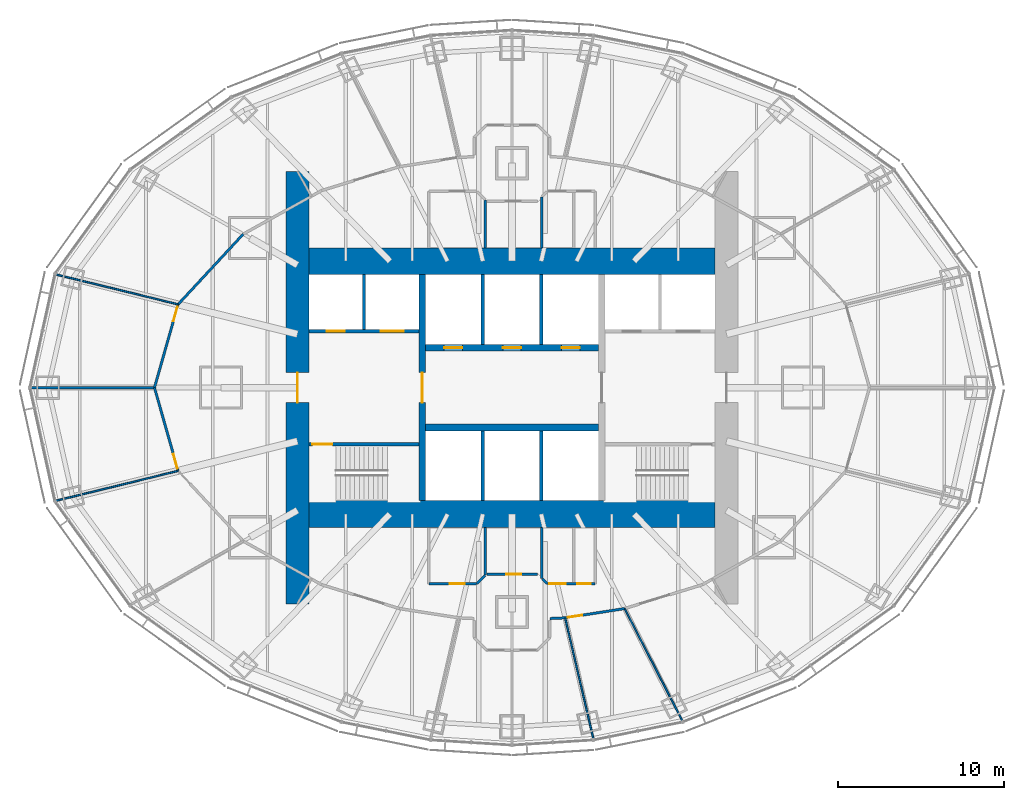
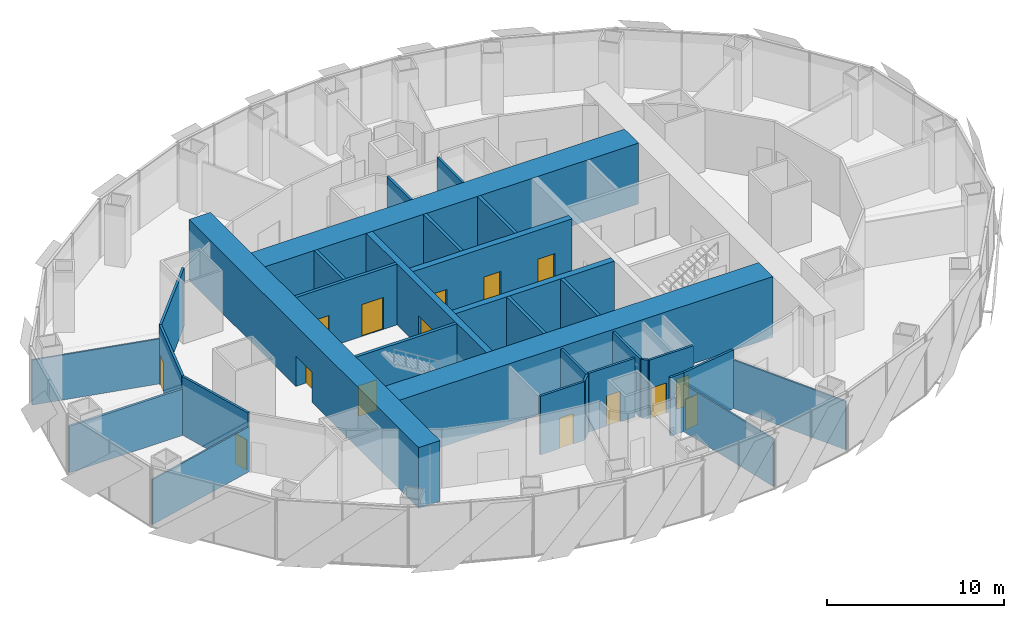
# One storey, part 11 of 17: 32 walls, 15 doors, 15 openings.
"""IFC4 building model written with IfcOpenShell, lengths in metres."""

from ifc_helpers import new_model, si_unit, direction, frame, frame_2d, origin, place, context, subcontext, project, spatial, rectangle, extrude, material, layer, layer_set, type_object, element, fill, save


model = new_model("IFC4")

# Units and contexts
model_context = context("Model", 3, precision=1e-05, world=origin(), true_north=direction((0.0, 1.0)))
body_context = subcontext(model_context, "Body", "Model", "MODEL_VIEW")
ifc_project = project(units=[si_unit("LENGTHUNIT", "METRE"), si_unit("AREAUNIT", "SQUARE_METRE"), si_unit("VOLUMEUNIT", "CUBIC_METRE"), si_unit("PLANEANGLEUNIT", "RADIAN"), si_unit("MASSUNIT", "GRAM", prefix="KILO")], contexts=[model_context])

# Site, building, storey
site_placement = place(None, origin())
site = spatial("IfcSite", under=ifc_project, at=site_placement, CompositionType="ELEMENT")
building_placement = place(site_placement, origin())
building = spatial("IfcBuilding", under=site, at=building_placement, Name="Lantaw Convention Tower", CompositionType="ELEMENT")
storey_placement = place(building_placement, frame((0.0, 0.0, 155.199951171875)))
storey = spatial("IfcBuildingStorey", under=building, at=storey_placement, Name="L36", CompositionType="ELEMENT", Elevation=155.199951171875)

# Wall, opening, door
ifc_material_1 = material(Name="Concrete C60/75", Category="concrete")
ifc_layer_1 = layer(ifc_material_1, 1.39990234375)
ifc_layer_set_1 = layer_set([ifc_layer_1], Name="Core wall 1400")
wall_type_1 = type_object("IfcWallType", Name="Core wall 1400", PredefinedType="SHEAR", material=ifc_layer_set_1)
wall_1_placement = place(storey_placement, frame((-12.89990234375, 13.0, 0.0), z_axis=(0.0, 0.0, 1.0), x_axis=(0.0, -1.0, 0.0)))
wall_1 = element("IfcWall", 1, at=wall_1_placement, inside=storey, type_object=wall_type_1, Name="Core wall W", PredefinedType="SHEAR", context=body_context, shape_type="SweptSolid", body=[
    extrude(rectangle(XDim=26.0, YDim=1.39990234375, at=frame_2d((13.0, 0.0))), origin(), (0.0, 0.0, 1.0), 4.199951171875),
])
opening_1_placement = place(wall_1_placement, frame((12.10009765625, 0.0, 0.0)))
opening_1 = element("IfcOpeningElement", 2, at=opening_1_placement, cuts=wall_1, Name="Opening L36.06", PredefinedType="OPENING", context=body_context, shape_type="SweptSolid", body=[
    extrude(rectangle(XDim=1.800048828125, YDim=2.10009765625, at=frame_2d((0.89990234375, 1.050048828125))), frame((0.0, 0.7099609375, 0.0), z_axis=(0.0, -1.0, 0.0), x_axis=(1.0, 0.0, 0.0)), (0.0, 0.0, 1.0), 1.419921875),
])
ifc_material_2 = material(Name="Steel, fire rated", Category="steel")
door_type_1 = type_object("IfcDoorType", Name="Lobby double door FD90", OperationType="DOUBLE_DOOR_DOUBLE_SWING", PredefinedType="DOOR", material=ifc_material_2)
door_1_placement = place(opening_1_placement, origin())
door_1 = element("IfcDoor", 3, at=door_1_placement, inside=storey, type_object=door_type_1, Name="Firefighting lobby door", OperationType="DOUBLE_DOOR_DOUBLE_SWING", OverallHeight=2.10009765625, OverallWidth=1.800048828125, PredefinedType="DOOR", context=body_context, shape_type="SweptSolid", body=[
    extrude(rectangle(XDim=1.800048828125, YDim=2.10009765625, at=frame_2d((0.89990234375, 1.050048828125))), frame((0.0, 0.02490234375, 0.0), z_axis=(0.0, -1.0, 0.0), x_axis=(1.0, 0.0, 0.0)), (0.0, 0.0, 1.0), 0.050048828125),
])
fill(opening_1, door_1)

# Walls
ifc_layer_2 = layer(ifc_material_1, 1.60009765625)
ifc_layer_set_2 = layer_set([ifc_layer_2], Name="Core wall 1600")
wall_type_2 = type_object("IfcWallType", Name="Core wall 1600", PredefinedType="SHEAR", material=ifc_layer_set_2)
for number, where, z_axis, x_axis, name in (
    (4, (-12.199951171875, -7.60009765625, 0.0), (0.0, 0.0, 1.0), (1.0, 0.0, 0.0), "Core wall S"),
    (5, (12.199951171875, 7.60009765625, 0.0), (0.0, 0.0, 1.0), (-1.0, 0.0, 0.0), "Core wall N"),
):
    element("IfcWall", number, at=place(storey_placement, frame(where, z_axis=z_axis, x_axis=x_axis)), inside=storey, type_object=wall_type_2, Name=name, PredefinedType="SHEAR", context=body_context, shape_type="SweptSolid", body=[
        extrude(rectangle(XDim=24.39990234375, YDim=1.60009765625, at=frame_2d((12.199951171875, 0.0))), origin(), (0.0, 0.0, 1.0), 4.199951171875),
    ])

# Wall, opening, door
ifc_layer_3 = layer(ifc_material_1, 0.199951171875)
ifc_layer_set_3 = layer_set([ifc_layer_3], Name="Core wall 200")
wall_type_3 = type_object("IfcWallType", Name="Core wall 200", PredefinedType="SHEAR", material=ifc_layer_set_3)
wall_2_placement = place(storey_placement, frame((-5.60009765625, -3.39990234375, 0.0), z_axis=(0.0, 0.0, 1.0), x_axis=(-1.0, 0.0, 0.0)))
wall_2 = element("IfcWall", 6, at=wall_2_placement, inside=storey, type_object=wall_type_3, Name="Core wall WS", PredefinedType="SHEAR", context=body_context, shape_type="SweptSolid", body=[
    extrude(rectangle(XDim=6.599853515625, YDim=0.199951171875, at=frame_2d((3.2998046875, 0.0))), origin(), (0.0, 0.0, 1.0), 4.199951171875),
])
opening_2_placement = place(wall_2_placement, frame((5.199951171875, 0.0, 0.0)))
opening_2 = element("IfcOpeningElement", 7, at=opening_2_placement, cuts=wall_2, Name="Opening L36.04", PredefinedType="OPENING", context=body_context, shape_type="SweptSolid", body=[
    extrude(rectangle(XDim=1.199951171875, YDim=2.10009765625, at=frame_2d((0.60009765625, 1.050048828125))), frame((0.0, 0.10986328125, 0.0), z_axis=(0.0, -1.0, 0.0), x_axis=(1.0, 0.0, 0.0)), (0.0, 0.0, 1.0), 0.219970703125),
])
door_type_2 = type_object("IfcDoorType", Name="Stair door FD90", OperationType="SINGLE_SWING_RIGHT", PredefinedType="DOOR", material=ifc_material_2)
door_2_placement = place(opening_2_placement, origin())
door_2 = element("IfcDoor", 8, at=door_2_placement, inside=storey, type_object=door_type_2, Name="Exit stair door", OperationType="SINGLE_SWING_RIGHT", OverallHeight=2.10009765625, OverallWidth=1.199951171875, PredefinedType="DOOR", context=body_context, shape_type="SweptSolid", body=[
    extrude(rectangle(XDim=1.199951171875, YDim=2.10009765625, at=frame_2d((0.60009765625, 1.050048828125))), frame((0.0, 0.02490234375, 0.0), z_axis=(0.0, -1.0, 0.0), x_axis=(1.0, 0.0, 0.0)), (0.0, 0.0, 1.0), 0.050048828125),
])
fill(opening_2, door_2)

ifc_layer_4 = layer(ifc_material_1, 0.39990234375)
ifc_layer_set_4 = layer_set([ifc_layer_4], Name="Core wall 400")
wall_type_4 = type_object("IfcWallType", Name="Core wall 400", PredefinedType="SHEAR", material=ifc_layer_set_4)
wall_3_placement = place(storey_placement, frame((-5.39990234375, 6.800048828125, 0.0), z_axis=(0.0, 0.0, 1.0), x_axis=(0.0, -1.0, 0.0)))
wall_3 = element("IfcWall", 9, at=wall_3_placement, inside=storey, type_object=wall_type_4, Name="Core wall XW", PredefinedType="SHEAR", context=body_context, shape_type="SweptSolid", body=[
    extrude(rectangle(XDim=13.60009765625, YDim=0.39990234375, at=frame_2d((6.800048828125, 0.0))), origin(), (0.0, 0.0, 1.0), 4.199951171875),
])
opening_3_placement = place(wall_3_placement, frame((5.89990234375, 0.0, 0.0)))
opening_3 = element("IfcOpeningElement", 10, at=opening_3_placement, cuts=wall_3, Name="Opening L36.02", PredefinedType="OPENING", context=body_context, shape_type="SweptSolid", body=[
    extrude(rectangle(XDim=1.800048828125, YDim=2.10009765625, at=frame_2d((0.89990234375, 1.050048828125))), frame((0.0, 0.2099609375, 0.0), z_axis=(0.0, -1.0, 0.0), x_axis=(1.0, 0.0, 0.0)), (0.0, 0.0, 1.0), 0.419921875),
])
door_3_placement = place(opening_3_placement, origin())
door_3 = element("IfcDoor", 11, at=door_3_placement, inside=storey, type_object=door_type_1, Name="Lift lobby door", OperationType="DOUBLE_DOOR_DOUBLE_SWING", OverallHeight=2.10009765625, OverallWidth=1.800048828125, PredefinedType="DOOR", context=body_context, shape_type="SweptSolid", body=[
    extrude(rectangle(XDim=1.800048828125, YDim=2.10009765625, at=frame_2d((0.89990234375, 1.050048828125))), frame((0.0, 0.02490234375, 0.0), z_axis=(0.0, -1.0, 0.0), x_axis=(1.0, 0.0, 0.0)), (0.0, 0.0, 1.0), 0.050048828125),
])
fill(opening_3, door_3)

# Wall
wall_4_placement = place(storey_placement, frame((-5.199951171875, -2.39990234375, 0.0), z_axis=(0.0, 0.0, 1.0), x_axis=(1.0, 0.0, 0.0)))
element("IfcWall", 12, at=wall_4_placement, inside=storey, type_object=wall_type_4, Name="Core wall BS", PredefinedType="SHEAR", context=body_context, shape_type="SweptSolid", body=[
    extrude(rectangle(XDim=10.39990234375, YDim=0.39990234375, at=frame_2d((5.199951171875, 0.0))), origin(), (0.0, 0.0, 1.0), 4.199951171875),
])

# Wall, openings, doors
wall_5_placement = place(storey_placement, frame((5.199951171875, 2.39990234375, 0.0), z_axis=(0.0, 0.0, 1.0), x_axis=(-1.0, 0.0, 0.0)))
wall_5 = element("IfcWall", 13, at=wall_5_placement, inside=storey, type_object=wall_type_4, Name="Core wall BN", PredefinedType="SHEAR", context=body_context, shape_type="SweptSolid", body=[
    extrude(rectangle(XDim=10.39990234375, YDim=0.39990234375, at=frame_2d((5.199951171875, 0.0))), origin(), (0.0, 0.0, 1.0), 4.199951171875),
])
opening_4_placement = place(wall_5_placement, frame((8.183349609375, 0.0, 0.0)))
opening_4 = element("IfcOpeningElement", 14, at=opening_4_placement, cuts=wall_5, Name="Opening L36.07", PredefinedType="OPENING", context=body_context, shape_type="SweptSolid", body=[
    extrude(rectangle(XDim=1.10009765625, YDim=2.199951171875, at=frame_2d((0.550048828125, 1.10009765625))), frame((0.0, 0.2099609375, 0.0), z_axis=(0.0, -1.0, 0.0), x_axis=(1.0, 0.0, 0.0)), (0.0, 0.0, 1.0), 0.419921875),
])
opening_5_placement = place(wall_5_placement, frame((4.64990234375, 0.0, 0.0)))
opening_5 = element("IfcOpeningElement", 15, at=opening_5_placement, cuts=wall_5, Name="Opening L36.08", PredefinedType="OPENING", context=body_context, shape_type="SweptSolid", body=[
    extrude(rectangle(XDim=1.10009765625, YDim=2.199951171875, at=frame_2d((0.550048828125, 1.10009765625))), frame((0.0, 0.2099609375, 0.0), z_axis=(0.0, -1.0, 0.0), x_axis=(1.0, 0.0, 0.0)), (0.0, 0.0, 1.0), 0.419921875),
])
opening_6_placement = place(wall_5_placement, frame((1.11669921875, 0.0, 0.0)))
opening_6 = element("IfcOpeningElement", 16, at=opening_6_placement, cuts=wall_5, Name="Opening L36.09", PredefinedType="OPENING", context=body_context, shape_type="SweptSolid", body=[
    extrude(rectangle(XDim=1.10009765625, YDim=2.199951171875, at=frame_2d((0.550048828125, 1.10009765625))), frame((0.0, 0.2099609375, 0.0), z_axis=(0.0, -1.0, 0.0), x_axis=(1.0, 0.0, 0.0)), (0.0, 0.0, 1.0), 0.419921875),
])
ifc_material_3 = material(Name="Stainless steel", Category="steel")
door_type_3 = type_object("IfcDoorType", Name="Lift landing door 1100", OperationType="DOUBLE_DOOR_SLIDING", PredefinedType="DOOR", material=ifc_material_3)
door_4_placement = place(opening_4_placement, origin())
door_4 = element("IfcDoor", 17, at=door_4_placement, inside=storey, type_object=door_type_3, Name="Lift landing door N1", OperationType="DOUBLE_DOOR_SLIDING", OverallHeight=2.199951171875, OverallWidth=1.10009765625, PredefinedType="DOOR", context=body_context, shape_type="SweptSolid", body=[
    extrude(rectangle(XDim=1.10009765625, YDim=2.199951171875, at=frame_2d((0.550048828125, 1.10009765625))), frame((0.0, 0.02490234375, 0.0), z_axis=(0.0, -1.0, 0.0), x_axis=(1.0, 0.0, 0.0)), (0.0, 0.0, 1.0), 0.050048828125),
])
fill(opening_4, door_4)
door_5_placement = place(opening_5_placement, origin())
door_5 = element("IfcDoor", 18, at=door_5_placement, inside=storey, type_object=door_type_3, Name="Lift landing door N2", OperationType="DOUBLE_DOOR_SLIDING", OverallHeight=2.199951171875, OverallWidth=1.10009765625, PredefinedType="DOOR", context=body_context, shape_type="SweptSolid", body=[
    extrude(rectangle(XDim=1.10009765625, YDim=2.199951171875, at=frame_2d((0.550048828125, 1.10009765625))), frame((0.0, 0.02490234375, 0.0), z_axis=(0.0, -1.0, 0.0), x_axis=(1.0, 0.0, 0.0)), (0.0, 0.0, 1.0), 0.050048828125),
])
fill(opening_5, door_5)
door_6_placement = place(opening_6_placement, origin())
door_6 = element("IfcDoor", 19, at=door_6_placement, inside=storey, type_object=door_type_3, Name="Lift landing door N3", OperationType="DOUBLE_DOOR_SLIDING", OverallHeight=2.199951171875, OverallWidth=1.10009765625, PredefinedType="DOOR", context=body_context, shape_type="SweptSolid", body=[
    extrude(rectangle(XDim=1.10009765625, YDim=2.199951171875, at=frame_2d((0.550048828125, 1.10009765625))), frame((0.0, 0.02490234375, 0.0), z_axis=(0.0, -1.0, 0.0), x_axis=(1.0, 0.0, 0.0)), (0.0, 0.0, 1.0), 0.050048828125),
])
fill(opening_6, door_6)

# Wall
ifc_material_4 = material(Name="Gypsum board on steel studs, fire rated", Category="steel")
ifc_layer_5 = layer(ifc_material_4, 0.14990234375)
ifc_layer_set_5 = layer_set([ifc_layer_5], Name="Corridor wall 150 EI 60")
wall_type_5 = type_object("IfcWallType", Name="Corridor wall 150 EI 60", PredefinedType="PARTITIONING", material=ifc_layer_set_5)
wall_6_placement = place(storey_placement, frame((-16.159912109375, 9.234375, 0.0), z_axis=(0.0, 0.0, 1.0), x_axis=(-0.679724658223, -0.733467374191, 0.0)))
element("IfcWall", 20, at=wall_6_placement, inside=storey, type_object=wall_type_5, Name="Corridor wall 150", PredefinedType="PARTITIONING", context=body_context, shape_type="SweptSolid", body=[
    extrude(rectangle(XDim=5.764892578125, YDim=0.14990234375, at=frame_2d((2.88232421875, 0.0))), origin(), (0.0, 0.0, 1.0), 4.050048828125),
])

# Wall, opening, door
wall_7_placement = place(storey_placement, frame((-20.078369140625, 5.006103515625, 0.0), z_axis=(0.0, 0.0, 1.0), x_axis=(-0.273177936169, -0.961963520717, 0.0)))
wall_7 = element("IfcWall", 21, at=wall_7_placement, inside=storey, type_object=wall_type_5, Name="Corridor wall 150", PredefinedType="PARTITIONING", context=body_context, shape_type="SweptSolid", body=[
    extrude(rectangle(XDim=5.2041015625, YDim=0.14990234375, at=frame_2d((2.60205078125, 0.0))), origin(), (0.0, 0.0, 1.0), 4.050048828125),
])
opening_7_placement = place(wall_7_placement, frame((0.14990234375, 0.0, 0.0)))
opening_7 = element("IfcOpeningElement", 22, at=opening_7_placement, cuts=wall_7, Name="Opening L36.29", PredefinedType="OPENING", context=body_context, shape_type="SweptSolid", body=[
    extrude(rectangle(XDim=0.89990234375, YDim=2.10009765625, at=frame_2d((0.449951171875, 1.050048828125))), frame((0.0, 0.0849609375, 0.0), z_axis=(0.0, -1.0, 0.0), x_axis=(1.0, 0.0, 0.0)), (0.0, 0.0, 1.0), 0.169921875),
])
door_type_4 = type_object("IfcDoorType", Name="Office door 900 FD30", OperationType="SINGLE_SWING_LEFT", PredefinedType="DOOR", material=ifc_material_2)
door_7_placement = place(opening_7_placement, origin())
door_7 = element("IfcDoor", 23, at=door_7_placement, inside=storey, type_object=door_type_4, Name="Pantry door", OperationType="SINGLE_SWING_LEFT", OverallHeight=2.10009765625, OverallWidth=0.89990234375, PredefinedType="DOOR", context=body_context, shape_type="SweptSolid", body=[
    extrude(rectangle(XDim=0.89990234375, YDim=2.10009765625, at=frame_2d((0.449951171875, 1.050048828125))), frame((0.0, 0.02490234375, 0.0), z_axis=(0.0, -1.0, 0.0), x_axis=(1.0, 0.0, 0.0)), (0.0, 0.0, 1.0), 0.050048828125),
])
fill(opening_7, door_7)

wall_8_placement = place(storey_placement, frame((-21.5, 0.0, 0.0), z_axis=(0.0, 0.0, 1.0), x_axis=(0.273177936169, -0.961963520717, 0.0)))
wall_8 = element("IfcWall", 24, at=wall_8_placement, inside=storey, type_object=wall_type_5, Name="Corridor wall 150", PredefinedType="PARTITIONING", context=body_context, shape_type="SweptSolid", body=[
    extrude(rectangle(XDim=5.2041015625, YDim=0.14990234375, at=frame_2d((2.60205078125, 0.0))), origin(), (0.0, 0.0, 1.0), 4.050048828125),
])
opening_8_placement = place(wall_8_placement, frame((4.154052734375, 0.0, 0.0)))
opening_8 = element("IfcOpeningElement", 25, at=opening_8_placement, cuts=wall_8, Name="Opening L36.30", PredefinedType="OPENING", context=body_context, shape_type="SweptSolid", body=[
    extrude(rectangle(XDim=0.89990234375, YDim=2.10009765625, at=frame_2d((0.449951171875, 1.050048828125))), frame((0.0, 0.0849609375, 0.0), z_axis=(0.0, -1.0, 0.0), x_axis=(1.0, 0.0, 0.0)), (0.0, 0.0, 1.0), 0.169921875),
])
door_8_placement = place(opening_8_placement, origin())
door_8 = element("IfcDoor", 26, at=door_8_placement, inside=storey, type_object=door_type_4, Name="Meeting room door", OperationType="SINGLE_SWING_LEFT", OverallHeight=2.10009765625, OverallWidth=0.89990234375, PredefinedType="DOOR", context=body_context, shape_type="SweptSolid", body=[
    extrude(rectangle(XDim=0.89990234375, YDim=2.10009765625, at=frame_2d((0.449951171875, 1.050048828125))), frame((0.0, 0.02490234375, 0.0), z_axis=(0.0, -1.0, 0.0), x_axis=(1.0, 0.0, 0.0)), (0.0, 0.0, 1.0), 0.050048828125),
])
fill(opening_8, door_8)

wall_9_placement = place(storey_placement, frame((3.1962890625, -13.844482421875, 0.0), z_axis=(0.0, 0.0, 1.0), x_axis=(0.98808911792, 0.153882731479, 0.0)))
wall_9 = element("IfcWall", 27, at=wall_9_placement, inside=storey, type_object=wall_type_5, Name="Corridor wall 150", PredefinedType="PARTITIONING", context=body_context, shape_type="SweptSolid", body=[
    extrude(rectangle(XDim=3.6171875, YDim=0.14990234375, at=frame_2d((1.80859375, 0.0))), origin(), (0.0, 0.0, 1.0), 4.050048828125),
])
opening_9_placement = place(wall_9_placement, frame((0.14990234375, 0.0, 0.0)))
opening_9 = element("IfcOpeningElement", 28, at=opening_9_placement, cuts=wall_9, Name="Opening L36.35", PredefinedType="OPENING", context=body_context, shape_type="SweptSolid", body=[
    extrude(rectangle(XDim=0.89990234375, YDim=2.10009765625, at=frame_2d((0.449951171875, 1.050048828125))), frame((0.0, 0.0849609375, 0.0), z_axis=(0.0, -1.0, 0.0), x_axis=(1.0, 0.0, 0.0)), (0.0, 0.0, 1.0), 0.169921875),
])
door_9_placement = place(opening_9_placement, origin())
door_9 = element("IfcDoor", 29, at=door_9_placement, inside=storey, type_object=door_type_4, Name="Private office door", OperationType="SINGLE_SWING_LEFT", OverallHeight=2.10009765625, OverallWidth=0.89990234375, PredefinedType="DOOR", context=body_context, shape_type="SweptSolid", body=[
    extrude(rectangle(XDim=0.89990234375, YDim=2.10009765625, at=frame_2d((0.449951171875, 1.050048828125))), frame((0.0, 0.02490234375, 0.0), z_axis=(0.0, -1.0, 0.0), x_axis=(1.0, 0.0, 0.0)), (0.0, 0.0, 1.0), 0.050048828125),
])
fill(opening_9, door_9)

# Walls
wall_10_placement = place(storey_placement, frame((2.294921875, -13.88818359375, 0.0), z_axis=(0.0, 0.0, 1.0), x_axis=(0.998826757305, 0.048426324366, 0.0)))
element("IfcWall", 30, at=wall_10_placement, inside=storey, type_object=wall_type_5, Name="Corridor wall 150", PredefinedType="PARTITIONING", context=body_context, shape_type="SweptSolid", body=[
    extrude(rectangle(XDim=0.90234375, YDim=0.14990234375, at=frame_2d((0.451171875, 0.0))), origin(), (0.0, 0.0, 1.0), 4.050048828125),
])
ifc_material_5 = material(Name="Gypsum board on steel studs, acoustic", Category="steel")
ifc_layer_6 = layer(ifc_material_5, 0.10009765625)
ifc_layer_set_6 = layer_set([ifc_layer_6], Name="Office partition 100")
wall_type_6 = type_object("IfcWallType", Name="Office partition 100", PredefinedType="PARTITIONING", material=ifc_layer_set_6)
for number, where, z_axis, x_axis, name in (
    (31, (-27.440673828125, 6.808837890625, 0.0), (0.0, 0.0, 1.0), (0.971305815804, -0.237834001323, 0.0), "Office partition 100"),
    (32, (-27.440673828125, -6.808837890625, 0.0), (0.0, 0.0, 1.0), (0.971305815804, 0.237834001323, 0.0), "Office partition 100"),
):
    element("IfcWall", number, at=place(storey_placement, frame(where, z_axis=z_axis, x_axis=x_axis)), inside=storey, type_object=wall_type_6, Name=name, PredefinedType="PARTITIONING", context=body_context, shape_type="SweptSolid", body=[
        extrude(rectangle(XDim=7.579833984375, YDim=0.10009765625, at=frame_2d((3.7900390625, 0.0))), origin(), (0.0, 0.0, 1.0), 3.11279296875),
    ])
wall_11_placement = place(storey_placement, frame((4.89697265625, -21.134765625, 0.0), z_axis=(0.0, 0.0, 1.0), x_axis=(-0.227181159974, 0.973852514785, 0.0)))
element("IfcWall", 33, at=wall_11_placement, inside=storey, type_object=wall_type_6, Name="Office partition 100", PredefinedType="PARTITIONING", context=body_context, shape_type="SweptSolid", body=[
    extrude(rectangle(XDim=7.486083984375, YDim=0.10009765625, at=frame_2d((3.7431640625, 0.0))), origin(), (0.0, 0.0, 1.0), 3.293212890625),
])
wall_12_placement = place(storey_placement, frame((10.25341796875, -20.0517578125, 0.0), z_axis=(0.0, 0.0, 1.0), x_axis=(-0.457797505753, 0.88905649074, 0.0)))
element("IfcWall", 34, at=wall_12_placement, inside=storey, type_object=wall_type_6, Name="Office partition 100", PredefinedType="PARTITIONING", context=body_context, shape_type="SweptSolid", body=[
    extrude(rectangle(XDim=7.60791015625, YDim=0.10009765625, at=frame_2d((3.803955078125, 0.0))), origin(), (0.0, 0.0, 1.0), 3.34912109375),
])
ifc_material_6 = material(Name="Concrete blockwork, fire rated", Category="masonry")
ifc_layer_7 = layer(ifc_material_6, 0.199951171875)
ifc_layer_set_7 = layer_set([ifc_layer_7], Name="Shaft wall 200")
wall_type_7 = type_object("IfcWallType", Name="Shaft wall 200", PredefinedType="SOLIDWALL", material=ifc_layer_set_7)
for number, where, z_axis, x_axis, name in (
    (35, (-1.7666015625, 2.60009765625, 0.0), (0.0, 0.0, 1.0), (0.0, 1.0, 0.0), "Shaft wall DN1"),
    (36, (1.7666015625, 2.60009765625, 0.0), (0.0, 0.0, 1.0), (0.0, 1.0, 0.0), "Shaft wall DN2"),
):
    element("IfcWall", number, at=place(storey_placement, frame(where, z_axis=z_axis, x_axis=x_axis)), inside=storey, type_object=wall_type_7, Name=name, PredefinedType="SOLIDWALL", context=body_context, shape_type="SweptSolid", body=[
        extrude(rectangle(XDim=4.199951171875, YDim=0.199951171875, at=frame_2d((2.10009765625, 0.0))), origin(), (0.0, 0.0, 1.0), 4.199951171875),
    ])

# Wall, openings, doors
wall_13_placement = place(storey_placement, frame((-12.199951171875, 3.39990234375, 0.0), z_axis=(0.0, 0.0, 1.0), x_axis=(1.0, 0.0, 0.0)))
wall_13 = element("IfcWall", 37, at=wall_13_placement, inside=storey, type_object=wall_type_7, Name="Shaft wall WN", PredefinedType="SOLIDWALL", context=body_context, shape_type="SweptSolid", body=[
    extrude(rectangle(XDim=6.599853515625, YDim=0.199951171875, at=frame_2d((3.2998046875, 0.0))), origin(), (0.0, 0.0, 1.0), 4.199951171875),
])
opening_10_placement = place(wall_13_placement, frame((1.050048828125, 0.0, 0.0)))
opening_10 = element("IfcOpeningElement", 38, at=opening_10_placement, cuts=wall_13, Name="Opening L36.10", PredefinedType="OPENING", context=body_context, shape_type="SweptSolid", body=[
    extrude(rectangle(XDim=1.10009765625, YDim=2.199951171875, at=frame_2d((0.550048828125, 1.10009765625))), frame((0.0, 0.10986328125, 0.0), z_axis=(0.0, -1.0, 0.0), x_axis=(1.0, 0.0, 0.0)), (0.0, 0.0, 1.0), 0.219970703125),
])
opening_11_placement = place(wall_13_placement, frame((4.300048828125, 0.0, 0.0)))
opening_11 = element("IfcOpeningElement", 39, at=opening_11_placement, cuts=wall_13, Name="Opening L36.11", PredefinedType="OPENING", context=body_context, shape_type="SweptSolid", body=[
    extrude(rectangle(XDim=1.39990234375, YDim=2.199951171875, at=frame_2d((0.699951171875, 1.10009765625))), frame((0.0, 0.10986328125, 0.0), z_axis=(0.0, -1.0, 0.0), x_axis=(1.0, 0.0, 0.0)), (0.0, 0.0, 1.0), 0.219970703125),
])
door_10_placement = place(opening_10_placement, origin())
door_10 = element("IfcDoor", 40, at=door_10_placement, inside=storey, type_object=door_type_3, Name="Lift landing door FF1", OperationType="DOUBLE_DOOR_SLIDING", OverallHeight=2.199951171875, OverallWidth=1.10009765625, PredefinedType="DOOR", context=body_context, shape_type="SweptSolid", body=[
    extrude(rectangle(XDim=1.10009765625, YDim=2.199951171875, at=frame_2d((0.550048828125, 1.10009765625))), frame((0.0, 0.02490234375, 0.0), z_axis=(0.0, -1.0, 0.0), x_axis=(1.0, 0.0, 0.0)), (0.0, 0.0, 1.0), 0.050048828125),
])
fill(opening_10, door_10)
door_type_5 = type_object("IfcDoorType", Name="Lift landing door 1400", OperationType="DOUBLE_DOOR_SLIDING", PredefinedType="DOOR", material=ifc_material_3)
door_11_placement = place(opening_11_placement, origin())
door_11 = element("IfcDoor", 41, at=door_11_placement, inside=storey, type_object=door_type_5, Name="Lift landing door SV1", OperationType="DOUBLE_DOOR_SLIDING", OverallHeight=2.199951171875, OverallWidth=1.39990234375, PredefinedType="DOOR", context=body_context, shape_type="SweptSolid", body=[
    extrude(rectangle(XDim=1.39990234375, YDim=2.199951171875, at=frame_2d((0.699951171875, 1.10009765625))), frame((0.0, 0.02490234375, 0.0), z_axis=(0.0, -1.0, 0.0), x_axis=(1.0, 0.0, 0.0)), (0.0, 0.0, 1.0), 0.050048828125),
])
fill(opening_11, door_11)

# Walls
wall_14_placement = place(storey_placement, frame((-8.89990234375, 3.5, 0.0), z_axis=(0.0, 0.0, 1.0), x_axis=(0.0, 1.0, 0.0)))
element("IfcWall", 42, at=wall_14_placement, inside=storey, type_object=wall_type_7, Name="Shaft wall WD", PredefinedType="SOLIDWALL", context=body_context, shape_type="SweptSolid", body=[
    extrude(rectangle(XDim=3.300048828125, YDim=0.199951171875, at=frame_2d((1.64990234375, 0.0))), origin(), (0.0, 0.0, 1.0), 4.199951171875),
])
ifc_layer_8 = layer(ifc_material_6, 0.199951171875)
ifc_layer_set_8 = layer_set([ifc_layer_8], Name="Shaft wall 200 load-bearing")
wall_type_8 = type_object("IfcWallType", Name="Shaft wall 200 load-bearing", PredefinedType="SOLIDWALL", material=ifc_layer_set_8)
for number, where, z_axis, x_axis, name in (
    (43, (-1.7666015625, -2.60009765625, 0.0), (0.0, 0.0, 1.0), (0.0, -1.0, 0.0), "Shaft wall DS1"),
    (44, (1.7666015625, -2.60009765625, 0.0), (0.0, 0.0, 1.0), (0.0, -1.0, 0.0), "Shaft wall DS2"),
):
    element("IfcWall", number, at=place(storey_placement, frame(where, z_axis=z_axis, x_axis=x_axis)), inside=storey, type_object=wall_type_8, Name=name, PredefinedType="SOLIDWALL", context=body_context, shape_type="SweptSolid", body=[
        extrude(rectangle(XDim=4.199951171875, YDim=0.199951171875, at=frame_2d((2.10009765625, 0.0))), origin(), (0.0, 0.0, 1.0), 4.199951171875),
    ])
ifc_layer_9 = layer(ifc_material_4, 0.14990234375)
ifc_layer_set_9 = layer_set([ifc_layer_9], Name="Tenant separation wall 150 EI 60")
wall_type_9 = type_object("IfcWallType", Name="Tenant separation wall 150 EI 60", PredefinedType="PARTITIONING", material=ifc_layer_set_9)
wall_15_placement = place(storey_placement, frame((-28.944091796875, 0.0, 0.0), z_axis=(0.0, 0.0, 1.0), x_axis=(1.0, 0.0, 0.0)))
element("IfcWall", 45, at=wall_15_placement, inside=storey, type_object=wall_type_9, Name="Tenant separation wall 150", PredefinedType="PARTITIONING", context=body_context, shape_type="SweptSolid", body=[
    extrude(rectangle(XDim=7.444091796875, YDim=0.14990234375, at=frame_2d((3.72216796875, 0.0))), origin(), (0.0, 0.0, 1.0), 3.204345703125),
])

# Wall, opening, door
ifc_material_7 = material(Name="Concrete blockwork", Category="masonry")
ifc_layer_10 = layer(ifc_material_7, 0.14990234375)
ifc_layer_set_10 = layer_set([ifc_layer_10], Name="WC wall 150")
wall_type_10 = type_object("IfcWallType", Name="WC wall 150", PredefinedType="SOLIDWALL", material=ifc_layer_set_10)
wall_16_placement = place(storey_placement, frame((-5.0, -11.800048828125, 0.0), z_axis=(0.0, 0.0, 1.0), x_axis=(1.0, 0.0, 0.0)))
wall_16 = element("IfcWall", 46, at=wall_16_placement, inside=storey, type_object=wall_type_10, Name="WC wall 150", PredefinedType="SOLIDWALL", context=body_context, shape_type="SweptSolid", body=[
    extrude(rectangle(XDim=2.86865234375, YDim=0.14990234375, at=frame_2d((1.434326171875, 0.0))), origin(), (0.0, 0.0, 1.0), 4.050048828125),
])
opening_12_placement = place(wall_16_placement, frame((1.25, 0.0, 0.0)))
opening_12 = element("IfcOpeningElement", 47, at=opening_12_placement, cuts=wall_16, Name="Opening L36.18", PredefinedType="OPENING", context=body_context, shape_type="SweptSolid", body=[
    extrude(rectangle(XDim=0.89990234375, YDim=2.10009765625, at=frame_2d((0.449951171875, 1.050048828125))), frame((0.0, 0.0849609375, 0.0), z_axis=(0.0, -1.0, 0.0), x_axis=(1.0, 0.0, 0.0)), (0.0, 0.0, 1.0), 0.169921875),
])
ifc_material_8 = material(Name="Timber", Category="wood")
door_type_6 = type_object("IfcDoorType", Name="WC door 900", OperationType="SINGLE_SWING_LEFT", PredefinedType="DOOR", material=ifc_material_8)
door_12_placement = place(opening_12_placement, origin())
door_12 = element("IfcDoor", 48, at=door_12_placement, inside=storey, type_object=door_type_6, Name="Male WC door", OperationType="SINGLE_SWING_LEFT", OverallHeight=2.10009765625, OverallWidth=0.89990234375, PredefinedType="DOOR", context=body_context, shape_type="SweptSolid", body=[
    extrude(rectangle(XDim=0.89990234375, YDim=2.10009765625, at=frame_2d((0.449951171875, 1.050048828125))), frame((0.0, 0.02490234375, 0.0), z_axis=(0.0, -1.0, 0.0), x_axis=(1.0, 0.0, 0.0)), (0.0, 0.0, 1.0), 0.050048828125),
])
fill(opening_12, door_12)

# Wall, openings, doors
wall_17_placement = place(storey_placement, frame((2.13134765625, -11.800048828125, 0.0), z_axis=(0.0, 0.0, 1.0), x_axis=(1.0, 0.0, 0.0)))
wall_17 = element("IfcWall", 49, at=wall_17_placement, inside=storey, type_object=wall_type_10, Name="WC wall 150", PredefinedType="SOLIDWALL", context=body_context, shape_type="SweptSolid", body=[
    extrude(rectangle(XDim=2.86865234375, YDim=0.14990234375, at=frame_2d((1.434326171875, 0.0))), origin(), (0.0, 0.0, 1.0), 4.050048828125),
])
opening_13_placement = place(wall_17_placement, frame((0.10009765625, 0.0, 0.0)))
opening_13 = element("IfcOpeningElement", 50, at=opening_13_placement, cuts=wall_17, Name="Opening L36.20", PredefinedType="OPENING", context=body_context, shape_type="SweptSolid", body=[
    extrude(rectangle(XDim=1.0, YDim=2.10009765625, at=frame_2d((0.5, 1.050048828125))), frame((0.0, 0.0849609375, 0.0), z_axis=(0.0, -1.0, 0.0), x_axis=(1.0, 0.0, 0.0)), (0.0, 0.0, 1.0), 0.169921875),
])
opening_14_placement = place(wall_17_placement, frame((1.800048828125, 0.0, 0.0)))
opening_14 = element("IfcOpeningElement", 51, at=opening_14_placement, cuts=wall_17, Name="Opening L36.21", PredefinedType="OPENING", context=body_context, shape_type="SweptSolid", body=[
    extrude(rectangle(XDim=0.800048828125, YDim=2.10009765625, at=frame_2d((0.39990234375, 1.050048828125))), frame((0.0, 0.0849609375, 0.0), z_axis=(0.0, -1.0, 0.0), x_axis=(1.0, 0.0, 0.0)), (0.0, 0.0, 1.0), 0.169921875),
])
door_type_7 = type_object("IfcDoorType", Name="Accessible WC door 1000", OperationType="SINGLE_SWING_LEFT", PredefinedType="DOOR", material=ifc_material_8)
door_13_placement = place(opening_13_placement, origin())
door_13 = element("IfcDoor", 52, at=door_13_placement, inside=storey, type_object=door_type_7, Name="Accessible WC door", OperationType="SINGLE_SWING_LEFT", OverallHeight=2.10009765625, OverallWidth=1.0, PredefinedType="DOOR", context=body_context, shape_type="SweptSolid", body=[
    extrude(rectangle(XDim=1.0, YDim=2.10009765625, at=frame_2d((0.5, 1.050048828125))), frame((0.0, 0.02490234375, 0.0), z_axis=(0.0, -1.0, 0.0), x_axis=(1.0, 0.0, 0.0)), (0.0, 0.0, 1.0), 0.050048828125),
])
fill(opening_13, door_13)
door_type_8 = type_object("IfcDoorType", Name="WC door 800", OperationType="SINGLE_SWING_LEFT", PredefinedType="DOOR", material=ifc_material_8)
door_14_placement = place(opening_14_placement, origin())
door_14 = element("IfcDoor", 53, at=door_14_placement, inside=storey, type_object=door_type_8, Name="Pantry door", OperationType="SINGLE_SWING_LEFT", OverallHeight=2.10009765625, OverallWidth=0.800048828125, PredefinedType="DOOR", context=body_context, shape_type="SweptSolid", body=[
    extrude(rectangle(XDim=0.800048828125, YDim=2.10009765625, at=frame_2d((0.39990234375, 1.050048828125))), frame((0.0, 0.02490234375, 0.0), z_axis=(0.0, -1.0, 0.0), x_axis=(1.0, 0.0, 0.0)), (0.0, 0.0, 1.0), 0.050048828125),
])
fill(opening_14, door_14)

# Walls
wall_18_placement = place(storey_placement, frame((-1.60009765625, -8.39990234375, 0.0), z_axis=(0.0, 0.0, 1.0), x_axis=(0.0, -1.0, 0.0)))
element("IfcWall", 54, at=wall_18_placement, inside=storey, type_object=wall_type_10, Name="WC wall 150", PredefinedType="SOLIDWALL", context=body_context, shape_type="SweptSolid", body=[
    extrude(rectangle(XDim=2.86865234375, YDim=0.14990234375, at=frame_2d((1.434326171875, 0.0))), origin(), (0.0, 0.0, 1.0), 4.050048828125),
])
wall_19_placement = place(storey_placement, frame((1.800048828125, -8.39990234375, 0.0), z_axis=(0.0, 0.0, 1.0), x_axis=(0.0, -1.0, 0.0)))
element("IfcWall", 55, at=wall_19_placement, inside=storey, type_object=wall_type_10, Name="WC wall 150", PredefinedType="SOLIDWALL", context=body_context, shape_type="SweptSolid", body=[
    extrude(rectangle(XDim=3.068603515625, YDim=0.14990234375, at=frame_2d((1.5341796875, 0.0))), origin(), (0.0, 0.0, 1.0), 4.050048828125),
])
wall_20_placement = place(storey_placement, frame((-2.101318359375, -11.7841796875, 0.0), z_axis=(0.0, 0.0, 1.0), x_axis=(0.706928959799, 0.707284557867, 0.0)))
element("IfcWall", 56, at=wall_20_placement, inside=storey, type_object=wall_type_10, Name="WC wall 150", PredefinedType="SOLIDWALL", context=body_context, shape_type="SweptSolid", body=[
    extrude(rectangle(XDim=0.6865234375, YDim=0.14990234375, at=frame_2d((0.34326171875, 0.0))), origin(), (0.0, 0.0, 1.0), 4.050048828125),
])

# Wall, opening, door
wall_21_placement = place(storey_placement, frame((-1.4951171875, -11.215087890625, 0.0), z_axis=(0.0, 0.0, 1.0), x_axis=(1.0, 0.0, 0.0)))
wall_21 = element("IfcWall", 57, at=wall_21_placement, inside=storey, type_object=wall_type_10, Name="WC wall 150", PredefinedType="SOLIDWALL", context=body_context, shape_type="SweptSolid", body=[
    extrude(rectangle(XDim=3.02734375, YDim=0.14990234375, at=frame_2d((1.513671875, 0.0))), origin(), (0.0, 0.0, 1.0), 4.050048828125),
])
opening_15_placement = place(wall_21_placement, frame((1.14990234375, 0.0, 0.0)))
opening_15 = element("IfcOpeningElement", 58, at=opening_15_placement, cuts=wall_21, Name="Opening L36.19", PredefinedType="OPENING", context=body_context, shape_type="SweptSolid", body=[
    extrude(rectangle(XDim=0.89990234375, YDim=2.10009765625, at=frame_2d((0.449951171875, 1.050048828125))), frame((0.0, 0.0849609375, 0.0), z_axis=(0.0, -1.0, 0.0), x_axis=(1.0, 0.0, 0.0)), (0.0, 0.0, 1.0), 0.169921875),
])
door_15_placement = place(opening_15_placement, origin())
door_15 = element("IfcDoor", 59, at=door_15_placement, inside=storey, type_object=door_type_6, Name="Female WC door", OperationType="SINGLE_SWING_LEFT", OverallHeight=2.10009765625, OverallWidth=0.89990234375, PredefinedType="DOOR", context=body_context, shape_type="SweptSolid", body=[
    extrude(rectangle(XDim=0.89990234375, YDim=2.10009765625, at=frame_2d((0.449951171875, 1.050048828125))), frame((0.0, 0.02490234375, 0.0), z_axis=(0.0, -1.0, 0.0), x_axis=(1.0, 0.0, 0.0)), (0.0, 0.0, 1.0), 0.050048828125),
])
fill(opening_15, door_15)

# Walls
wall_22_placement = place(storey_placement, frame((1.81591796875, -11.49853515625, 0.0), z_axis=(0.0, 0.0, 1.0), x_axis=(0.706804405012, -0.707409028113, 0.0)))
element("IfcWall", 60, at=wall_22_placement, inside=storey, type_object=wall_type_10, Name="WC wall 150", PredefinedType="SOLIDWALL", context=body_context, shape_type="SweptSolid", body=[
    extrude(rectangle(XDim=0.40380859375, YDim=0.14990234375, at=frame_2d((0.201904296875, 0.0))), origin(), (0.0, 0.0, 1.0), 4.050048828125),
])
wall_23_placement = place(storey_placement, frame((-1.60009765625, 8.39990234375, 0.0), z_axis=(0.0, 0.0, 1.0), x_axis=(0.0, 1.0, 0.0)))
element("IfcWall", 61, at=wall_23_placement, inside=storey, type_object=wall_type_10, Name="WC wall 150", PredefinedType="SOLIDWALL", context=body_context, shape_type="SweptSolid", body=[
    extrude(rectangle(XDim=2.86865234375, YDim=0.14990234375, at=frame_2d((1.434326171875, 0.0))), origin(), (0.0, 0.0, 1.0), 4.050048828125),
])
wall_24_placement = place(storey_placement, frame((1.800048828125, 8.39990234375, 0.0), z_axis=(0.0, 0.0, 1.0), x_axis=(0.0, 1.0, 0.0)))
element("IfcWall", 62, at=wall_24_placement, inside=storey, type_object=wall_type_10, Name="WC wall 150", PredefinedType="SOLIDWALL", context=body_context, shape_type="SweptSolid", body=[
    extrude(rectangle(XDim=3.068603515625, YDim=0.14990234375, at=frame_2d((1.5341796875, 0.0))), origin(), (0.0, 0.0, 1.0), 4.050048828125),
])

save(model, "model.ifc")
